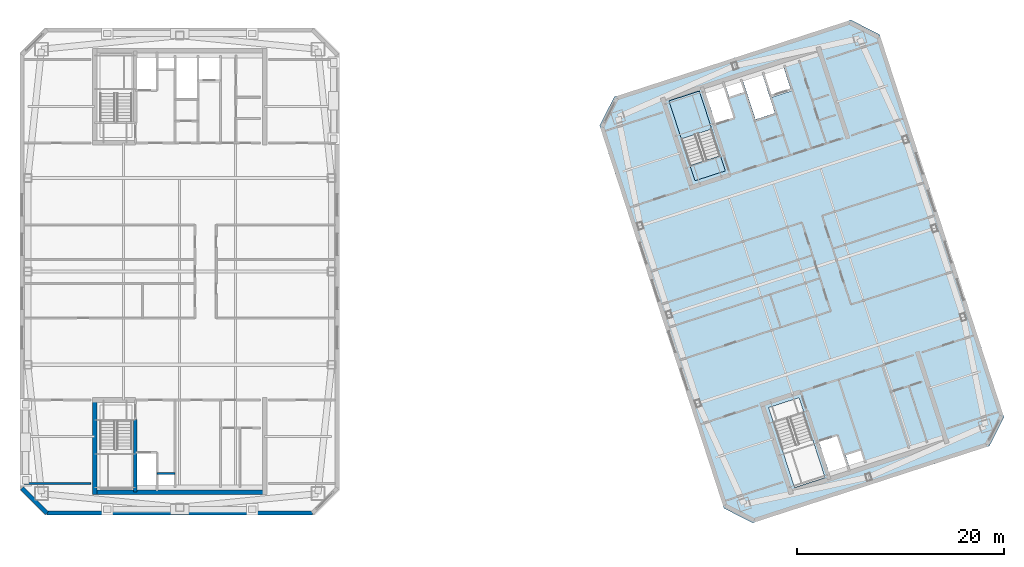
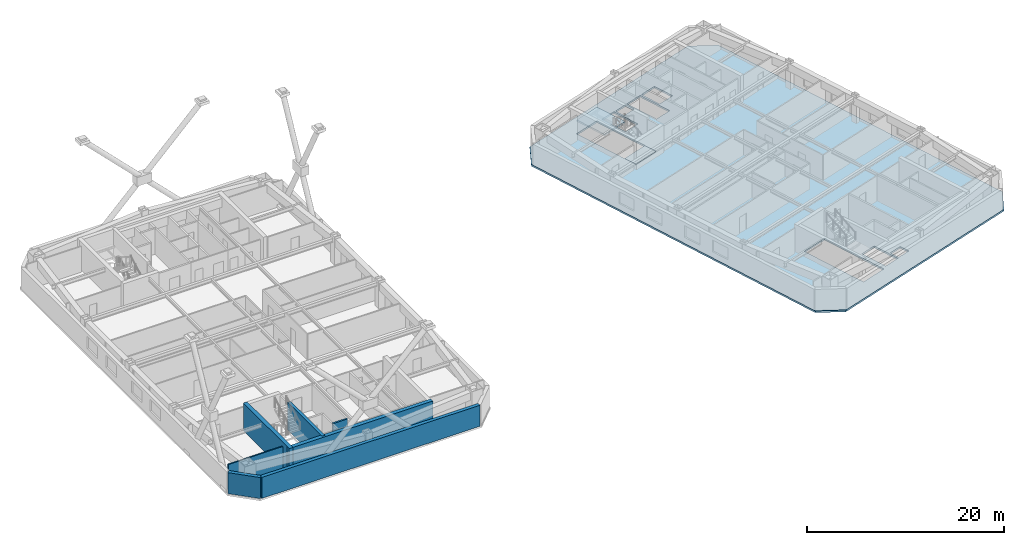
# One storey, part 12 of 20: 7 walls, 3 slabs, 1 element without a shape of its own.
"""IFC4 building model written with IfcOpenShell, lengths in metres."""

from ifc_helpers import new_model, si_unit, direction, frame, frame_2d, origin, place, context, subcontext, project, spatial, polyline, rectangle, outline, extrude, material, layer, layer_set, type_object, element, aggregate, save


model = new_model("IFC4")

# Units and contexts
model_context = context("Model", 3, precision=1e-05, world=origin(), true_north=direction((0.0, 1.0)))
body_context = subcontext(model_context, "Body", "Model", "MODEL_VIEW")
ifc_project = project(units=[si_unit("LENGTHUNIT", "METRE"), si_unit("AREAUNIT", "SQUARE_METRE"), si_unit("VOLUMEUNIT", "CUBIC_METRE"), si_unit("PLANEANGLEUNIT", "RADIAN"), si_unit("MASSUNIT", "GRAM", prefix="KILO")], contexts=[model_context])

# Site, building, storey
site_placement = place(None, origin())
site = spatial("IfcSite", under=ifc_project, at=site_placement, CompositionType="ELEMENT")
building_placement = place(site_placement, origin())
building = spatial("IfcBuilding", under=site, at=building_placement, Name="Qiaolan Cultural Towers", CompositionType="ELEMENT")
storey_placement = place(building_placement, frame((0.0, 0.0, 223.10009765625)))
storey = spatial("IfcBuildingStorey", under=building, at=storey_placement, Name="L60", CompositionType="ELEMENT", Elevation=223.10009765625)

# Stair, slab
ifc_material_1 = material(Name="Concrete C45", Category="concrete")
stair_type = type_object("IfcStairType", Name="STR-CORE-1500", PredefinedType="HALF_TURN_STAIR", material=ifc_material_1)
stair_placement = place(storey_placement, origin())
stair = element("IfcStair", 1, at=stair_placement, inside=storey, type_object=stair_type, Name="L60 Smokeproof Exit Stair ST-E2", PredefinedType="HALF_TURN_STAIR")
ifc_material_2 = material(Name="Concrete C45", Category="concrete")
ifc_layer_1 = layer(ifc_material_2, 0.199951171875)
ifc_layer_set_1 = layer_set([ifc_layer_1], Name="Concrete C45")
slab_type_1 = type_object("IfcSlabType", Name="SL-STAIR-LAND", PredefinedType="LANDING", material=ifc_layer_set_1)
slab_1_placement = place(storey_placement, frame((0.0, 0.0, 1.52490234375)))
slab_1 = element("IfcSlab", 2, at=slab_1_placement, type_object=slab_type_1, Name="ST-E2 landing 1", PredefinedType="LANDING", context=body_context, shape_type="SweptSolid", body=[
    extrude(outline(polyline([(81.31005859375, 47.735595703125), (80.1201171875, 51.3984375), (77.190673828125, 50.44677734375), (78.380859375, 46.783935546875), (81.31005859375, 47.735595703125)])), origin(), (0.0, 0.0, 1.0), 0.199951171875),
])
aggregate(stair, [slab_1])

# Slabs
ifc_material_3 = material(Name="Concrete C40", Category="concrete")
ifc_layer_2 = layer(ifc_material_3, 0.360107421875)
ifc_layer_set_2 = layer_set([ifc_layer_2], Name="Concrete C40")
slab_type_2 = type_object("IfcSlabType", Name="SL-STFLR-360", PredefinedType="LANDING", material=ifc_layer_set_2)
slab_2_placement = place(storey_placement, frame((0.0, 0.0, -0.360107421875)))
element("IfcSlab", 3, at=slab_2_placement, inside=storey, type_object=slab_type_2, Name="L60 ST-E2 Stair Floor Landing Slab", PredefinedType="LANDING", context=body_context, shape_type="SweptSolid", body=[
    extrude(outline(polyline([(82.62060546875, 43.6962890625), (82.141845703125, 45.169677734375), (79.21630859375, 44.21923828125), (79.695068359375, 42.74560546875), (82.62060546875, 43.6962890625)])), origin(), (0.0, 0.0, 1.0), 0.360107421875),
])
ifc_material_4 = material(Name="Concrete C45", Category="concrete")
ifc_layer_3 = layer(ifc_material_4, 0.219970703125)
ifc_layer_set_3 = layer_set([ifc_layer_3], Name="Concrete C45")
slab_type_3 = type_object("IfcSlabType", Name="SL-TYP-220", PredefinedType="FLOOR", material=ifc_layer_set_3)
slab_3_placement = place(storey_placement, frame((0.0, 0.0, -0.22021484375)))
element("IfcSlab", 4, at=slab_3_placement, inside=storey, type_object=slab_type_3, Name="L60 East Tower Floor Slab", PredefinedType="FLOOR", context=body_context, shape_type="SweptSolid", body=[
    extrude(outline(polyline([(85.26220703125, 9.7490234375), (108.08740234375, 17.165283203125), (109.5, 19.9375), (97.510009765625, 56.838623046875), (94.73779296875, 58.2509765625), (71.91259765625, 50.834716796875), (70.5, 48.0625), (82.489990234375, 11.161376953125), (85.26220703125, 9.7490234375)]), holes=[polyline([(86.80126953125, 20.868896484375), (89.30419921875, 13.165283203125), (92.2333984375, 14.116943359375), (89.73046875, 21.820556640625), (86.80126953125, 20.868896484375)]), polyline([(82.623046875, 43.69482421875), (80.1201171875, 51.3984375), (77.190673828125, 50.44677734375), (79.69384765625, 42.7431640625), (82.623046875, 43.69482421875)]), polyline([(92.666259765625, 14.468017578125), (94.42578125, 15.03955078125), (93.42138671875, 18.130615234375), (91.661865234375, 17.558837890625), (92.666259765625, 14.468017578125)]), polyline([(94.5908203125, 15.14599609375), (96.027099609375, 15.612548828125), (95.66552734375, 16.725341796875), (94.2294921875, 16.258544921875), (94.5908203125, 15.14599609375)]), polyline([(81.6806640625, 48.278076171875), (83.440185546875, 48.849609375), (82.435791015625, 51.940673828125), (80.67626953125, 51.368896484375), (81.6806640625, 48.278076171875)]), polyline([(82.993408203125, 50.839111328125), (84.4296875, 51.3056640625), (84.068115234375, 52.41845703125), (82.632080078125, 51.95166015625), (82.993408203125, 50.839111328125)]), polyline([(87.1455078125, 50.810791015625), (88.990478515625, 51.41015625), (88.22412109375, 53.768798828125), (86.379150390625, 53.169189453125), (87.1455078125, 50.810791015625)]), polyline([(85.5322265625, 48.65673828125), (87.415283203125, 49.2685546875), (86.169921875, 53.101318359375), (84.286865234375, 52.489501953125), (85.5322265625, 48.65673828125)])]), origin(), (0.0, 0.0, 1.0), 0.22021484375),
])

# Walls
ifc_material_5 = material(Name="Concrete C50", Category="concrete")
ifc_layer_4 = layer(ifc_material_5, 0.35009765625)
ifc_layer_set_4 = layer_set([ifc_layer_4], Name="Concrete C50")
wall_type_1 = type_object("IfcWallType", Name="WL-CORE-350", PredefinedType="SHEAR", material=ifc_layer_set_4)
wall_1_placement = place(storey_placement, frame((25.719970703125, 19.699951171875, 0.0), z_axis=(0.0, 0.0, 1.0), x_axis=(0.0, -1.0, 0.0)))
element("IfcWall", 5, at=wall_1_placement, inside=storey, type_object=wall_type_1, Name="L60 T1-CS Stair Core Dividing Web", PredefinedType="SHEAR", context=body_context, shape_type="SweptSolid", body=[
    extrude(rectangle(XDim=6.97998046875, YDim=0.35009765625, at=frame_2d((3.489990234375, 0.0))), origin(), (0.0, 0.0, 1.0), 3.449951171875),
])
ifc_material_6 = material(Name="Concrete C50", Category="concrete")
ifc_layer_5 = layer(ifc_material_6, 0.449951171875)
ifc_layer_set_5 = layer_set([ifc_layer_5], Name="Concrete C50")
wall_type_2 = type_object("IfcWallType", Name="WL-CORE-450", PredefinedType="SHEAR", material=ifc_layer_set_5)
wall_2_placement = place(storey_placement, frame((21.574951171875, 12.719970703125, 0.0), z_axis=(0.0, 0.0, 1.0), x_axis=(1.0, 0.0, 0.0)))
element("IfcWall", 6, at=wall_2_placement, inside=storey, type_object=wall_type_2, Name="L60 T1-CS Outer Core Shear Wall", PredefinedType="SHEAR", context=body_context, shape_type="SweptSolid", body=[
    extrude(rectangle(XDim=16.85009765625, YDim=0.449951171875, at=frame_2d((8.425048828125, 0.0))), origin(), (0.0, 0.0, 1.0), 3.449951171875),
])
wall_3_placement = place(storey_placement, frame((21.800048828125, 21.824951171875, 0.0), z_axis=(0.0, 0.0, 1.0), x_axis=(0.0, -1.0, 0.0)))
element("IfcWall", 7, at=wall_3_placement, inside=storey, type_object=wall_type_2, Name="L60 T1-CS West Core Shear Wall", PredefinedType="SHEAR", context=body_context, shape_type="SweptSolid", body=[
    extrude(rectangle(XDim=9.329833984375, YDim=0.449951171875, at=frame_2d((4.6650390625, 0.0))), origin(), (0.0, 0.0, 1.0), 3.449951171875),
])
ifc_material_7 = material(Name="Precast Concrete C50 Honed Stone Pier", Category="masonry")
ifc_layer_6 = layer(ifc_material_7, 0.39990234375)
ifc_layer_set_6 = layer_set([ifc_layer_6], Name="Precast Concrete C50 Honed Stone Pier")
wall_type_3 = type_object("IfcWallType", Name="WL-EXT-PIER-400", PredefinedType="SOLIDWALL", material=ifc_layer_set_6)
wall_4_placement = place(storey_placement, frame((42.800048828125, 10.699951171875, 0.0), z_axis=(0.0, 0.0, 1.0), x_axis=(-1.0, 0.0, 0.0)))
element("IfcWall", 8, at=wall_4_placement, inside=storey, type_object=wall_type_3, Name="L60 West Tower Precast Pier Facade Wall F7", PredefinedType="SOLIDWALL", context=body_context, shape_type="SweptSolid", body=[
    extrude(rectangle(XDim=25.60009765625, YDim=0.39990234375, at=frame_2d((12.800048828125, 0.0))), origin(), (0.0, 0.0, 1.0), 2.60986328125),
])
wall_5_placement = place(storey_placement, frame((17.199951171875, 10.699951171875, 0.0), z_axis=(0.0, 0.0, 1.0), x_axis=(-0.707070815327, 0.707142745217, 0.0)))
element("IfcWall", 9, at=wall_5_placement, inside=storey, type_object=wall_type_3, Name="L60 West Tower Precast Pier Facade Wall F8", PredefinedType="SOLIDWALL", context=body_context, shape_type="SweptSolid", body=[
    extrude(rectangle(XDim=3.39404296875, YDim=0.39990234375, at=frame_2d((1.697021484375, 0.0))), origin(), (0.0, 0.0, 1.0), 2.60986328125),
])
ifc_material_8 = material(Name="Concrete C35 Fire Wall", Category="concrete")
ifc_layer_7 = layer(ifc_material_8, 0.199951171875)
ifc_layer_set_7 = layer_set([ifc_layer_7], Name="Concrete C35 Fire Wall")
wall_type_4 = type_object("IfcWallType", Name="WL-FIRE-200", PredefinedType="PARTITIONING", material=ifc_layer_set_7)
wall_6_placement = place(storey_placement, frame((27.820068359375, 14.52001953125, 0.0), z_axis=(0.0, 0.0, 1.0), x_axis=(1.0, 0.0, 0.0)))
element("IfcWall", 10, at=wall_6_placement, inside=storey, type_object=wall_type_4, Name="L60 T1-CS Pressurization Shaft Front Wall", PredefinedType="PARTITIONING", context=body_context, shape_type="SweptSolid", body=[
    extrude(rectangle(XDim=1.72998046875, YDim=0.199951171875, at=frame_2d((0.864990234375, 0.0))), origin(), (0.0, 0.0, 1.0), 3.1748046875),
])
ifc_material_9 = material(Name="Autoclaved Aerated Concrete Block B06", Category="concrete")
ifc_layer_8 = layer(ifc_material_9, 0.14990234375)
ifc_layer_set_8 = layer_set([ifc_layer_8], Name="Autoclaved Aerated Concrete Block B06")
wall_type_5 = type_object("IfcWallType", Name="WL-PART-150", PredefinedType="PARTITIONING", material=ifc_layer_set_8)
wall_7_placement = place(storey_placement, frame((15.0, 13.550048828125, 0.0), z_axis=(0.0, 0.0, 1.0), x_axis=(1.0, 0.0, 0.0)))
element("IfcWall", 11, at=wall_7_placement, inside=storey, type_object=wall_type_5, Name="L60 T1 Flank Wall FLK-SW", PredefinedType="PARTITIONING", context=body_context, shape_type="SweptSolid", body=[
    extrude(rectangle(XDim=6.39990234375, YDim=0.14990234375, at=frame_2d((3.199951171875, 0.0))), origin(), (0.0, 0.0, 1.0), 3.1748046875),
])

save(model, "model.ifc")
